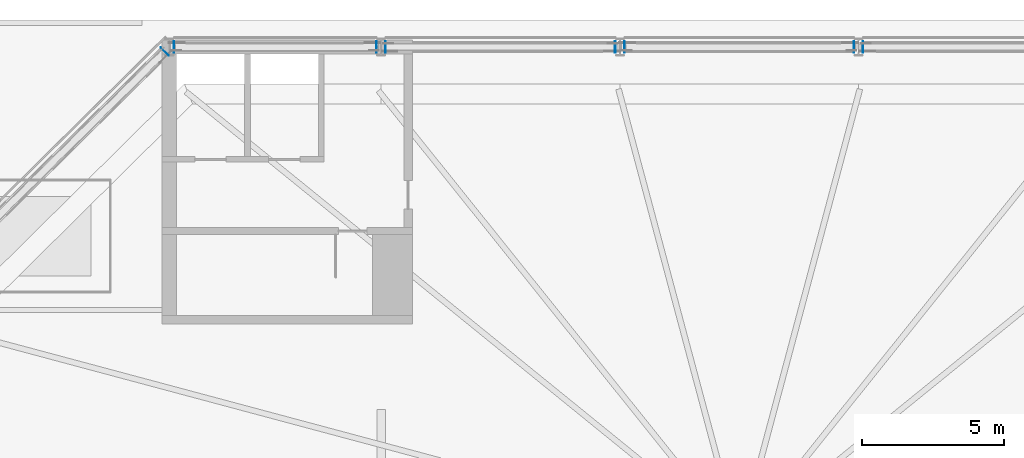
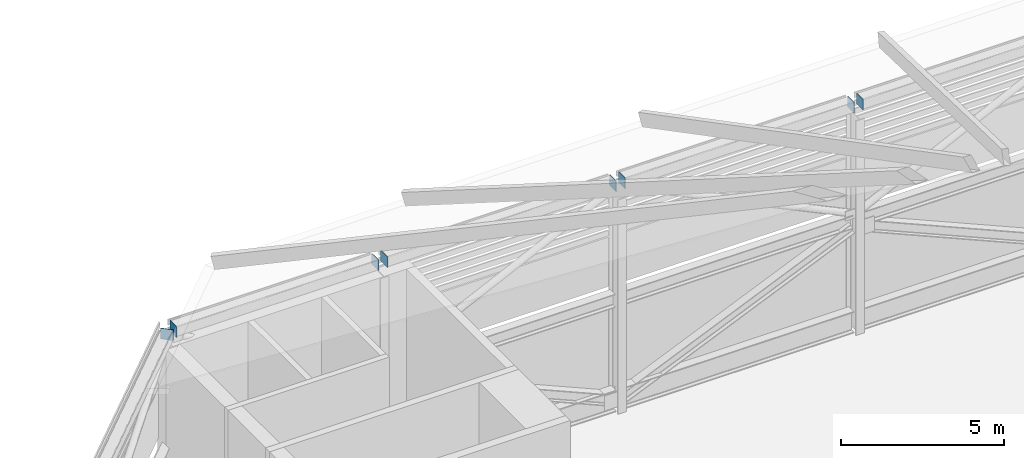
# One storey, part 12 of 22: 8 plates.
"""IFC4 building model written with IfcOpenShell, lengths in metres."""

import ifcopenshell
import ifcopenshell.guid

model = None  # the IFC model being written
_history = None  # IfcOwnerHistory: only IFC2X3 demands one
_inside = {}  # id of a spatial element -> (the spatial element, [elements in it])
_under = {}  # id of a project, library or spatial element -> (it, [spatial elements below it])
_declared = {}  # id of a project -> (the project, [libraries it declares])
_typed = {}  # id of a type object -> (the type object, [elements of that type])
_made_of = {}  # id of a material, layer set ... -> (it, [elements and type objects made of it])


def new_model(schema):
    """Start an empty IFC model of exactly this schema.

    Asked for "IFC4X3", IfcOpenShell would pick the latest addendum, in which some entities
    have other attributes; the version numbers below select the first issue.
    IFC2X3 requires an IfcOwnerHistory on every rooted entity: one is made here for all.
    """
    global model, _history
    if schema == "IFC4X3":
        model = ifcopenshell.file(schema_version=(4, 3, 0, 0))
    else:
        model = ifcopenshell.file(schema=schema)
    _inside.clear()
    _under.clear()
    _declared.clear()
    _typed.clear()
    _made_of.clear()
    _history = None
    if model.schema == "IFC2X3":
        org = make("IfcOrganization", Name="unknown")
        user = make(
            "IfcPersonAndOrganization",
            ThePerson=make("IfcPerson", FamilyName="unknown"),
            TheOrganization=org,
        )
        app = make(
            "IfcApplication",
            ApplicationDeveloper=org,
            Version="unknown",
            ApplicationFullName="unknown",
            ApplicationIdentifier="unknown",
        )
        _history = make(
            "IfcOwnerHistory",
            OwningUser=user,
            OwningApplication=app,
            ChangeAction="ADDED",
            CreationDate=0,
        )
    return model


def make(cls, **values):
    """One entity of the class cls with the attributes given. An attribute that is None is left unset."""
    return model.create_entity(
        cls, **{name: value for name, value in values.items() if value is not None}
    )


def rooted(cls, **values):
    """An entity with a GlobalId (a new one), such as an element, a storey or a relation."""
    return make(cls, GlobalId=ifcopenshell.guid.new(), OwnerHistory=_history, **values)


def si_unit(unit_type, name, prefix=None):
    """IfcSIUnit, for example si_unit("LENGTHUNIT", "METRE", prefix="MILLI")."""
    return make("IfcSIUnit", UnitType=unit_type, Prefix=prefix, Name=name)


def assignment(units):
    """IfcUnitAssignment: the units of a project."""
    return None if units is None else make("IfcUnitAssignment", Units=units)


def point(xyz):
    """IfcCartesianPoint."""
    return None if xyz is None else make("IfcCartesianPoint", Coordinates=xyz)


def direction(xyz):
    """IfcDirection."""
    return None if xyz is None else make("IfcDirection", DirectionRatios=xyz)


def frame(location, z_axis=None, x_axis=None):
    """IfcAxis2Placement3D, a coordinate frame: its origin and axes. An axis left out is left unset."""
    return make(
        "IfcAxis2Placement3D",
        Location=point(location),
        Axis=direction(z_axis),
        RefDirection=direction(x_axis),
    )


def frame_2d(location, x_axis=None):
    """IfcAxis2Placement2D, a coordinate frame in the plane: its origin and x axis."""
    return make(
        "IfcAxis2Placement2D", Location=point(location), RefDirection=direction(x_axis)
    )


def origin():
    """The frame at (0, 0, 0) with its axes left unset."""
    return frame((0.0, 0.0, 0.0))


def origin_2d():
    """The frame at (0, 0) in the plane with its x axis left unset."""
    return frame_2d((0.0, 0.0))


def place(relative_to, where):
    """IfcLocalPlacement: puts the frame where relative to a parent placement (None: the world)."""
    return make(
        "IfcLocalPlacement", PlacementRelTo=relative_to, RelativePlacement=where
    )


def context(
    kind, dimensions, precision=None, world=None, true_north=None, identifier=None
):
    """IfcGeometricRepresentationContext, for example the 3D "Model" context."""
    return make(
        "IfcGeometricRepresentationContext",
        ContextIdentifier=identifier,
        ContextType=kind,
        CoordinateSpaceDimension=dimensions,
        Precision=precision,
        WorldCoordinateSystem=world,
        TrueNorth=true_north,
    )


def subcontext(parent, identifier, kind, view, scale=None):
    """IfcGeometricRepresentationSubContext, for example "Body" below "Model"."""
    return make(
        "IfcGeometricRepresentationSubContext",
        ContextIdentifier=identifier,
        ContextType=kind,
        ParentContext=parent,
        TargetScale=scale,
        TargetView=view,
    )


def project(units=None, contexts=None):
    """IfcProject with its units and contexts."""
    return rooted(
        "IfcProject",
        Name="project",
        RepresentationContexts=contexts,
        UnitsInContext=assignment(units),
    )


def spatial(cls, under=None, at=None, **own):
    """A site, building, storey or space (cls), placed at a placement, below another one or the project."""
    s = rooted(cls, ObjectPlacement=at, **own)
    if under is not None:
        _under.setdefault(under.id(), (under, []))[1].append(s)
    return s


def profile(cls, at=None, kind="AREA", **sizes):
    """A parametric profile (cls). Its sizes go by their IFC names, for example OverallWidth=200.0."""
    return make(cls, ProfileType=kind, Position=at, **sizes)


def rectangle(**sizes):
    """IfcRectangleProfileDef."""
    return profile("IfcRectangleProfileDef", **sizes)


def extrude(swept, where, along, depth):
    """IfcExtrudedAreaSolid: the profile swept, set in the frame where, extruded along a direction by depth."""
    return make(
        "IfcExtrudedAreaSolid",
        SweptArea=swept,
        Position=where,
        ExtrudedDirection=direction(along),
        Depth=depth,
    )


def shape(context_of_items, identifier, shape_type, items):
    """IfcShapeRepresentation: the items that make up one representation, for example the "Body"."""
    return make(
        "IfcShapeRepresentation",
        ContextOfItems=context_of_items,
        RepresentationIdentifier=identifier,
        RepresentationType=shape_type,
        Items=items,
    )


def material(Name=None, Category=None):
    """IfcMaterial."""
    return make("IfcMaterial", Name=Name, Category=Category)


def layer(
    of_material, thickness, ventilated=None, Name=None, Category=None, Priority=None
):
    """IfcMaterialLayer: one layer of a wall or slab, of a material (None: an air gap)."""
    return make(
        "IfcMaterialLayer",
        Material=of_material,
        LayerThickness=thickness,
        IsVentilated=ventilated,
        Name=Name,
        Category=Category,
        Priority=Priority,
    )


def layer_set(layers, Name=None):
    """IfcMaterialLayerSet."""
    return make("IfcMaterialLayerSet", MaterialLayers=layers, LayerSetName=Name)


def made_of(thing, what):
    """Note that an element or type object is made of a material, layer set ...; save() writes the relation."""
    if what is not None:
        _made_of.setdefault(what.id(), (what, []))[1].append(thing)
    return thing


def type_object(cls, material=None, **own):
    """A type object (cls), such as IfcWallType, which elements share."""
    return made_of(rooted(cls, **own), material)


def element(
    cls,
    number,
    at=None,
    inside=None,
    cuts=None,
    type_object=None,
    material=None,
    context=None,
    identifier="Body",
    shape_type=None,
    held_by="IfcProductDefinitionShape",
    body=None,
    shapes=None,
    **own,
):
    """One element of the class cls, such as IfcWall. Its Tag is "e" and its number.

    at: its placement. inside: the storey or other place that contains it. cuts: it is an
    opening in that element (IfcRelVoidsElement). A single representation is given by context,
    identifier, shape_type and body (its items); several are given by shapes. held_by: the class
    of the entity that holds the representations. save() writes the other relations.
    """
    e = rooted(cls, Tag="e%d" % number, ObjectPlacement=at, **own)
    if body is not None:
        shapes = [shape(context, identifier, shape_type, body)]
    if shapes is not None:
        e.Representation = make(held_by, Representations=shapes)
    if inside is not None:
        _inside.setdefault(inside.id(), (inside, []))[1].append(e)
    if cuts is not None:
        rooted(
            "IfcRelVoidsElement", RelatingBuildingElement=cuts, RelatedOpeningElement=e
        )
    if type_object is not None:
        _typed.setdefault(type_object.id(), (type_object, []))[1].append(e)
    return made_of(e, material)


def aggregate(whole, parts):
    """IfcRelAggregates: a whole, such as a stair, and the parts it consists of."""
    return rooted("IfcRelAggregates", RelatingObject=whole, RelatedObjects=parts)


def save(model, path):
    """Write the relations noted so far, then the file.

    IfcRelAggregates (storeys below a building ...), IfcRelContainedInSpatialStructure (elements
    in a storey), IfcRelDefinesByType, IfcRelAssociatesMaterial and IfcRelDeclares: one each for
    every whole, place, type object, material and project.
    """
    for whole, parts in _under.values():
        aggregate(whole, parts)
    for where, things in _inside.values():
        rooted(
            "IfcRelContainedInSpatialStructure",
            RelatedElements=things,
            RelatingStructure=where,
        )
    for kind, things in _typed.values():
        rooted("IfcRelDefinesByType", RelatedObjects=things, RelatingType=kind)
    for what, things in _made_of.values():
        rooted("IfcRelAssociatesMaterial", RelatedObjects=things, RelatingMaterial=what)
    for by, libraries in _declared.values():
        rooted("IfcRelDeclares", RelatingContext=by, RelatedDefinitions=libraries)
    model.write(path)


model = new_model("IFC4")

# Units and contexts
model_context = context("Model", 3, precision=1e-05, world=origin(), true_north=direction((0.0, 1.0)))
body_context = subcontext(model_context, "Body", "Model", "MODEL_VIEW")
ifc_project = project(units=[si_unit("LENGTHUNIT", "METRE"), si_unit("AREAUNIT", "SQUARE_METRE"), si_unit("VOLUMEUNIT", "CUBIC_METRE"), si_unit("PLANEANGLEUNIT", "RADIAN"), si_unit("MASSUNIT", "GRAM", prefix="KILO")], contexts=[model_context])

# Site, building, storey
site_placement = place(None, origin())
site = spatial("IfcSite", under=ifc_project, at=site_placement, CompositionType="ELEMENT")
building_placement = place(site_placement, origin())
building = spatial("IfcBuilding", under=site, at=building_placement, Name="Saffron Gate Tower", CompositionType="ELEMENT")
storey_placement = place(building_placement, frame((0.0, 0.0, 314.85009765625)))
storey = spatial("IfcBuildingStorey", under=building, at=storey_placement, Name="Roof crown", CompositionType="ELEMENT", Elevation=314.85009765625)

# Plates
ifc_material = material(Name="Structural steel S355", Category="steel")
ifc_layer = layer(ifc_material, 0.02001953125)
ifc_layer_set = layer_set([ifc_layer], Name="EP1 box end plate")
plate_type = type_object("IfcPlateType", Name="EP1 box end plate", PredefinedType="SHEET", material=ifc_layer_set)
for number, where, z_axis, x_axis, name in (
    (1, (91.9599609375, 74.64990234375, 8.25), (0.0, 0.0, 1.0), (-1.0, 0.0, 0.0), "RING BEAM end plate"),
    (2, (91.639892578125, 74.64990234375, 8.25), (0.0, 0.0, 1.0), (-1.0, 0.0, 0.0), "RING BEAM end plate"),
    (3, (83.56005859375, 74.64990234375, 8.25), (0.0, 0.0, 1.0), (-1.0, 0.0, 0.0), "RING BEAM end plate"),
    (4, (83.239990234375, 74.64990234375, 8.25), (0.0, 0.0, 1.0), (-1.0, 0.0, 0.0), "RING BEAM end plate"),
    (5, (75.159912109375, 74.64990234375, 8.25), (0.0, 0.0, 1.0), (-1.0, 0.0, 0.0), "RING BEAM end plate"),
    (6, (74.840087890625, 74.64990234375, 8.25), (0.0, 0.0, 1.0), (-1.0, 0.0, 0.0), "RING BEAM end plate"),
    (7, (67.7099609375, 74.64990234375, 8.25), (0.0, 0.0, 1.0), (-1.0, 0.0, 0.0), "RING BEAM end plate"),
    (8, (67.392822265625, 74.494384765625, 8.25), (0.0, 0.0, 1.0), (-0.710902589283, -0.703290486606, 0.0), "RING BEAM end plate"),
):
    element("IfcPlate", number, at=place(storey_placement, frame(where, z_axis=z_axis, x_axis=x_axis)), inside=storey, type_object=plate_type, Name=name, PredefinedType="SHEET", context=body_context, shape_type="SweptSolid", body=[
        extrude(rectangle(XDim=0.02001953125, YDim=0.39990234375, at=origin_2d()), origin(), (0.0, 0.0, 1.0), 0.39990234375),
    ])

save(model, "model.ifc")
